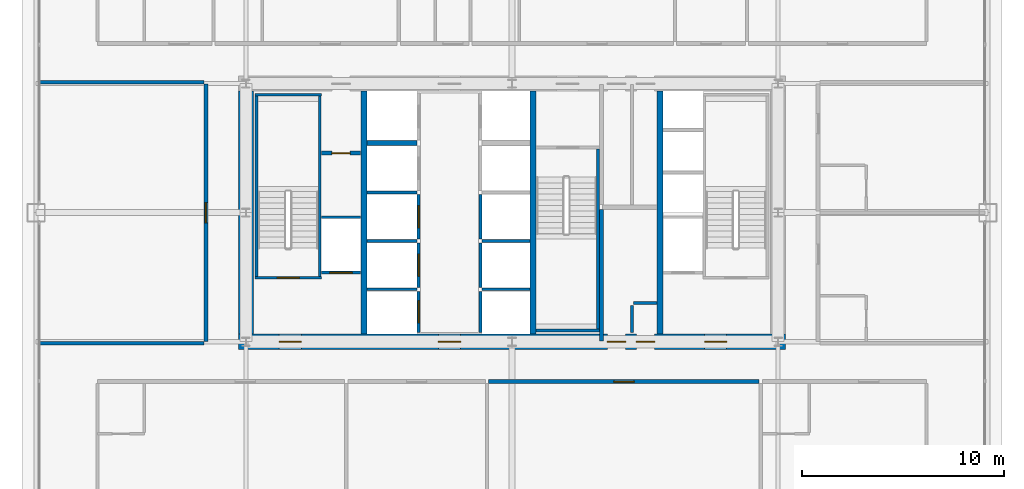
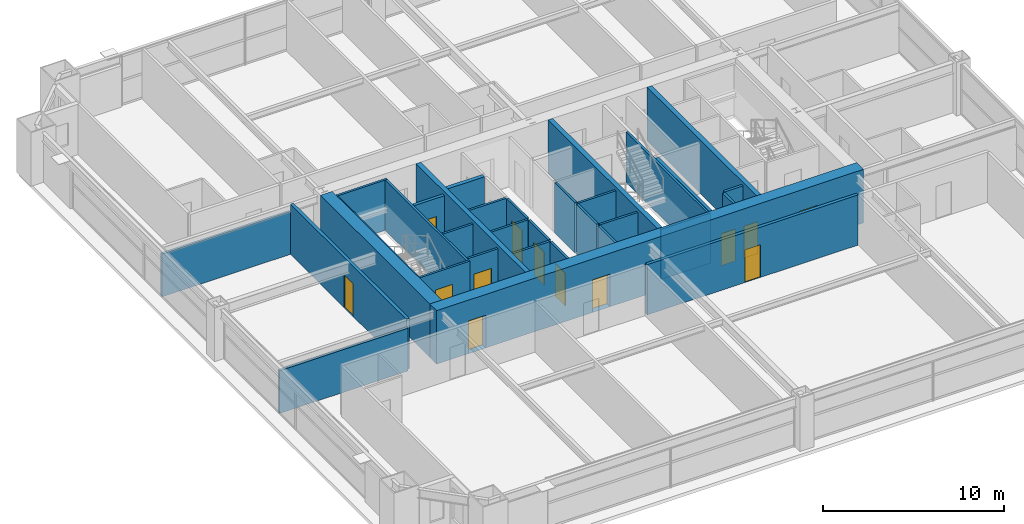
# One storey, part 34 of 38: 33 walls, 13 doors, 13 openings.
"""IFC4 building model written with IfcOpenShell, lengths in metres."""

from ifc_helpers import new_model, si_unit, direction, frame, frame_2d, origin, place, context, subcontext, project, spatial, rectangle, extrude, source, transform, mapped, material, layer, layer_set, type_object, element, fill, save


model = new_model("IFC4")

# Units and contexts
model_context = context("Model", 3, precision=1e-05, world=origin(), true_north=direction((0.0, 1.0)))
body_context = subcontext(model_context, "Body", "Model", "MODEL_VIEW")
ifc_project = project(units=[si_unit("LENGTHUNIT", "METRE"), si_unit("AREAUNIT", "SQUARE_METRE"), si_unit("VOLUMEUNIT", "CUBIC_METRE"), si_unit("PLANEANGLEUNIT", "RADIAN"), si_unit("MASSUNIT", "GRAM", prefix="KILO"), si_unit("THERMODYNAMICTEMPERATUREUNIT", "KELVIN"), si_unit("POWERUNIT", "WATT")], contexts=[model_context])

# Site, building, storey
site_placement = place(None, origin())
site = spatial("IfcSite", under=ifc_project, at=site_placement, CompositionType="ELEMENT")
building_placement = place(site_placement, origin())
building = spatial("IfcBuilding", under=site, at=building_placement, Name="Yuzanri Waterfront Tower", CompositionType="ELEMENT")
storey_placement = place(building_placement, frame((0.0, 0.0, 119.0)))
storey = spatial("IfcBuildingStorey", under=building, at=storey_placement, Name="L31", CompositionType="ELEMENT", Elevation=119.0)

# Wall, openings, doors
ifc_material_1 = material(Name="Concrete C55", Category="concrete")
ifc_layer_1 = layer(ifc_material_1, 0.75)
ifc_layer_set_1 = layer_set([ifc_layer_1], Name="Concrete C55")
wall_type_1 = type_object("IfcWallType", Name="Concrete C55 Low-Mid Zone Core Shear Wall 750", PredefinedType="SHEAR", material=ifc_layer_set_1)
wall_1_placement = place(storey_placement, frame((23.425048828125, 19.39990234375, 0.0), z_axis=(0.0, 0.0, 1.0), x_axis=(1.0, 0.0, 0.0)))
wall_1 = element("IfcWall", 1, at=wall_1_placement, inside=storey, type_object=wall_type_1, Name="L31 Core South Shear Wall", PredefinedType="SHEAR", context=body_context, shape_type="SweptSolid", body=[
    extrude(rectangle(XDim=27.14990234375, YDim=0.75, at=frame_2d((13.574951171875, 0.0))), origin(), (0.0, 0.0, 1.0), 3.60009765625),
])
opening_1_placement = place(wall_1_placement, frame((2.02490234375, 0.0, 0.0)))
opening_1 = element("IfcOpeningElement", 2, at=opening_1_placement, cuts=wall_1, Name="Opening FD-1100", PredefinedType="OPENING", context=body_context, shape_type="SweptSolid", body=[
    extrude(rectangle(XDim=1.10009765625, YDim=2.199951171875, at=frame_2d((0.550048828125, 1.10009765625))), frame((0.0, 0.389892578125, 0.0), z_axis=(0.0, -1.0, 0.0), x_axis=(1.0, 0.0, 0.0)), (0.0, 0.0, 1.0), 0.77978515625),
])
opening_2_placement = place(wall_1_placement, frame((9.925048828125, 0.0, 0.0)))
opening_2 = element("IfcOpeningElement", 3, at=opening_2_placement, cuts=wall_1, Name="Opening FD-1100", PredefinedType="OPENING", context=body_context, shape_type="SweptSolid", body=[
    extrude(rectangle(XDim=1.10009765625, YDim=2.199951171875, at=frame_2d((0.550048828125, 1.10009765625))), frame((0.0, 0.389892578125, 0.0), z_axis=(0.0, -1.0, 0.0), x_axis=(1.0, 0.0, 0.0)), (0.0, 0.0, 1.0), 0.77978515625),
])
opening_3_placement = place(wall_1_placement, frame((23.125, 0.0, 0.0)))
opening_3 = element("IfcOpeningElement", 4, at=opening_3_placement, cuts=wall_1, Name="Opening FD-1100", PredefinedType="OPENING", context=body_context, shape_type="SweptSolid", body=[
    extrude(rectangle(XDim=1.10009765625, YDim=2.199951171875, at=frame_2d((0.550048828125, 1.10009765625))), frame((0.0, 0.389892578125, 0.0), z_axis=(0.0, -1.0, 0.0), x_axis=(1.0, 0.0, 0.0)), (0.0, 0.0, 1.0), 0.77978515625),
])
opening_4_placement = place(wall_1_placement, frame((19.7451171875, 0.0, 0.0)))
opening_4 = element("IfcOpeningElement", 5, at=opening_4_placement, cuts=wall_1, Name="Opening FD-0900", PredefinedType="OPENING", context=body_context, shape_type="SweptSolid", body=[
    extrude(rectangle(XDim=0.89990234375, YDim=2.14990234375, at=frame_2d((0.449951171875, 1.074951171875))), frame((0.0, 0.389892578125, 0.0), z_axis=(0.0, -1.0, 0.0), x_axis=(1.0, 0.0, 0.0)), (0.0, 0.0, 1.0), 0.77978515625),
])
opening_5_placement = place(wall_1_placement, frame((18.304931640625, 0.0, 0.0)))
opening_5 = element("IfcOpeningElement", 6, at=opening_5_placement, cuts=wall_1, Name="Opening FD-0900", PredefinedType="OPENING", context=body_context, shape_type="SweptSolid", body=[
    extrude(rectangle(XDim=0.89990234375, YDim=2.14990234375, at=frame_2d((0.449951171875, 1.074951171875))), frame((0.0, 0.389892578125, 0.0), z_axis=(0.0, -1.0, 0.0), x_axis=(1.0, 0.0, 0.0)), (0.0, 0.0, 1.0), 0.77978515625),
])
ifc_material_2 = material(Name="Painted Galvanized Fire Steel", Category="steel")
door_type_1 = type_object("IfcDoorType", Name="Smoke-Proof Stair and Lobby Fire Door 1100x2200", OperationType="NOTDEFINED", PredefinedType="DOOR", material=ifc_material_2)
shared_shape_1 = source(origin(), body_context, "Body", "SweptSolid", [
    extrude(rectangle(XDim=1.10009765625, YDim=2.199951171875, at=frame_2d((0.550048828125, 1.10009765625))), frame((0.0, 0.02490234375, 0.0), z_axis=(0.0, -1.0, 0.0), x_axis=(1.0, 0.0, 0.0)), (0.0, 0.0, 1.0), 0.050048828125),
])
door_1_placement = place(opening_1_placement, origin())
door_1 = element("IfcDoor", 7, at=door_1_placement, inside=storey, type_object=door_type_1, Name="L31 West Firefighting Lobby Door", OperationType="SINGLE_SWING_LEFT", OverallHeight=2.199951171875, OverallWidth=1.10009765625, PredefinedType="DOOR", context=body_context, shape_type="MappedRepresentation", body=[
    mapped(shared_shape_1, transform((0.0, 0.0, 0.0), scale=1.0)),
])
fill(opening_1, door_1)
door_2_placement = place(opening_2_placement, origin())
door_2 = element("IfcDoor", 8, at=door_2_placement, inside=storey, type_object=door_type_1, Name="L31 Central Lift Lobby South Door", OperationType="SINGLE_SWING_RIGHT", OverallHeight=2.199951171875, OverallWidth=1.10009765625, PredefinedType="DOOR", context=body_context, shape_type="MappedRepresentation", body=[
    mapped(shared_shape_1, transform((0.0, 0.0, 0.0), scale=1.0)),
])
fill(opening_2, door_2)
door_3_placement = place(opening_3_placement, origin())
door_3 = element("IfcDoor", 9, at=door_3_placement, inside=storey, type_object=door_type_1, Name="L31 East Firefighting Lobby Door", OperationType="SINGLE_SWING_LEFT", OverallHeight=2.199951171875, OverallWidth=1.10009765625, PredefinedType="DOOR", context=body_context, shape_type="MappedRepresentation", body=[
    mapped(shared_shape_1, transform((0.0, 0.0, 0.0), scale=1.0)),
])
fill(opening_3, door_3)
ifc_material_3 = material(Name="Painted Galvanized Fire Steel", Category="steel")
door_type_2 = type_object("IfcDoorType", Name="Riser and Service Room Fire Door 900x2150", OperationType="NOTDEFINED", PredefinedType="DOOR", material=ifc_material_3)
shared_shape_2 = source(origin(), body_context, "Body", "SweptSolid", [
    extrude(rectangle(XDim=0.89990234375, YDim=2.14990234375, at=frame_2d((0.449951171875, 1.074951171875))), frame((0.0, 0.02490234375, 0.0), z_axis=(0.0, -1.0, 0.0), x_axis=(1.0, 0.0, 0.0)), (0.0, 0.0, 1.0), 0.050048828125),
])
door_4_placement = place(opening_4_placement, origin())
door_4 = element("IfcDoor", 10, at=door_4_placement, inside=storey, type_object=door_type_2, Name="L31 East Wet Riser Door", OperationType="SINGLE_SWING_RIGHT", OverallHeight=2.14990234375, OverallWidth=0.89990234375, PredefinedType="DOOR", context=body_context, shape_type="MappedRepresentation", body=[
    mapped(shared_shape_2, transform((0.0, 0.0, 0.0), scale=1.0)),
])
fill(opening_4, door_4)
door_5_placement = place(opening_5_placement, origin())
door_5 = element("IfcDoor", 11, at=door_5_placement, inside=storey, type_object=door_type_2, Name="L31 Housekeeping Room", OperationType="SINGLE_SWING_LEFT", OverallHeight=2.14990234375, OverallWidth=0.89990234375, PredefinedType="DOOR", context=body_context, shape_type="MappedRepresentation", body=[
    mapped(shared_shape_2, transform((0.0, 0.0, 0.0), scale=1.0)),
])
fill(opening_5, door_5)

# Wall, opening, door
ifc_material_4 = material(Name="Concrete C40", Category="concrete")
ifc_layer_2 = layer(ifc_material_4, 0.139892578125)
ifc_layer_set_2 = layer_set([ifc_layer_2], Name="Concrete C40")
wall_type_2 = type_object("IfcWallType", Name="Core Stair Liner and Hoistway Shaft Wall 140", PredefinedType="SOLIDWALL", material=ifc_layer_set_2)
wall_2_placement = place(storey_placement, frame((27.56005859375, 22.830078125, 0.0), z_axis=(0.0, 0.0, 1.0), x_axis=(1.0, 0.0, 0.0)))
wall_2 = element("IfcWall", 12, at=wall_2_placement, inside=storey, type_object=wall_type_2, Name="L31 Lift FL-01 Front Shaft Wall", PredefinedType="SOLIDWALL", context=body_context, shape_type="SweptSolid", body=[
    extrude(rectangle(XDim=1.919921875, YDim=0.139892578125, at=frame_2d((0.9599609375, 0.0))), origin(), (0.0, 0.0, 1.0), 3.3798828125),
])
opening_6_placement = place(wall_2_placement, frame((0.409912109375, 0.0, 0.0)))
opening_6 = element("IfcOpeningElement", 13, at=opening_6_placement, cuts=wall_2, Name="Opening LD-FL-01", PredefinedType="OPENING", context=body_context, shape_type="SweptSolid", body=[
    extrude(rectangle(XDim=1.10009765625, YDim=2.199951171875, at=frame_2d((0.550048828125, 1.10009765625))), frame((0.0, 0.0849609375, 0.0), z_axis=(0.0, -1.0, 0.0), x_axis=(1.0, 0.0, 0.0)), (0.0, 0.0, 1.0), 0.169677734375),
])
ifc_material_5 = material(Name="Brushed Bronze and Stainless Steel Cab", Category="steel")
door_type_3 = type_object("IfcDoorType", Name="Center-Parting Bronze Lift Landing Sliding Door 1100x2200", OperationType="NOTDEFINED", PredefinedType="DOOR", material=ifc_material_5)
shared_shape_3 = source(origin(), body_context, "Body", "SweptSolid", [
    extrude(rectangle(XDim=1.10009765625, YDim=2.199951171875, at=frame_2d((0.550048828125, 1.10009765625))), frame((0.0, 0.02490234375, 0.0), z_axis=(0.0, -1.0, 0.0), x_axis=(1.0, 0.0, 0.0)), (0.0, 0.0, 1.0), 0.050048828125),
])
door_6_placement = place(opening_6_placement, origin())
door_6 = element("IfcDoor", 14, at=door_6_placement, inside=storey, type_object=door_type_3, Name="L31 FL-01 Lift Landing Sliding Door", OperationType="SLIDING_TO_LEFT", OverallHeight=2.199951171875, OverallWidth=1.10009765625, PredefinedType="DOOR", context=body_context, shape_type="MappedRepresentation", body=[
    mapped(shared_shape_3, transform((0.0, 0.0, 0.0), scale=1.0)),
])
fill(opening_6, door_6)

wall_3_placement = place(storey_placement, frame((32.3701171875, 19.860107421875, 0.0), z_axis=(0.0, 0.0, 1.0), x_axis=(0.0, 1.0, 0.0)))
wall_3 = element("IfcWall", 15, at=wall_3_placement, inside=storey, type_object=wall_type_2, Name="L31 Lift PL-01 Front Shaft Wall", PredefinedType="SOLIDWALL", context=body_context, shape_type="SweptSolid", body=[
    extrude(rectangle(XDim=2.039794921875, YDim=0.139892578125, at=frame_2d((1.02001953125, 0.0))), origin(), (0.0, 0.0, 1.0), 3.3798828125),
])
opening_7_placement = place(wall_3_placement, frame((0.469970703125, 0.0, 0.0)))
opening_7 = element("IfcOpeningElement", 16, at=opening_7_placement, cuts=wall_3, Name="Opening LD-PL-01", PredefinedType="OPENING", context=body_context, shape_type="SweptSolid", body=[
    extrude(rectangle(XDim=1.10009765625, YDim=2.199951171875, at=frame_2d((0.550048828125, 1.10009765625))), frame((0.0, 0.0849609375, 0.0), z_axis=(0.0, -1.0, 0.0), x_axis=(1.0, 0.0, 0.0)), (0.0, 0.0, 1.0), 0.169677734375),
])
door_7_placement = place(opening_7_placement, origin())
door_7 = element("IfcDoor", 17, at=door_7_placement, inside=storey, type_object=door_type_3, Name="L31 PL-01 Lift Landing Sliding Door", OperationType="SLIDING_TO_LEFT", OverallHeight=2.199951171875, OverallWidth=1.10009765625, PredefinedType="DOOR", context=body_context, shape_type="MappedRepresentation", body=[
    mapped(shared_shape_3, transform((0.0, 0.0, 0.0), scale=1.0)),
])
fill(opening_7, door_7)

wall_4_placement = place(storey_placement, frame((32.3701171875, 22.10009765625, 0.0), z_axis=(0.0, 0.0, 1.0), x_axis=(0.0, 1.0, 0.0)))
wall_4 = element("IfcWall", 18, at=wall_4_placement, inside=storey, type_object=wall_type_2, Name="L31 Lift PL-02 Front Shaft Wall", PredefinedType="SOLIDWALL", context=body_context, shape_type="SweptSolid", body=[
    extrude(rectangle(XDim=2.199951171875, YDim=0.139892578125, at=frame_2d((1.10009765625, 0.0))), origin(), (0.0, 0.0, 1.0), 3.3798828125),
])
opening_8_placement = place(wall_4_placement, frame((0.550048828125, 0.0, 0.0)))
opening_8 = element("IfcOpeningElement", 19, at=opening_8_placement, cuts=wall_4, Name="Opening LD-PL-02", PredefinedType="OPENING", context=body_context, shape_type="SweptSolid", body=[
    extrude(rectangle(XDim=1.10009765625, YDim=2.199951171875, at=frame_2d((0.550048828125, 1.10009765625))), frame((0.0, 0.0849609375, 0.0), z_axis=(0.0, -1.0, 0.0), x_axis=(1.0, 0.0, 0.0)), (0.0, 0.0, 1.0), 0.169677734375),
])
door_8_placement = place(opening_8_placement, origin())
door_8 = element("IfcDoor", 20, at=door_8_placement, inside=storey, type_object=door_type_3, Name="L31 PL-02 Lift Landing Sliding Door", OperationType="SLIDING_TO_RIGHT", OverallHeight=2.199951171875, OverallWidth=1.10009765625, PredefinedType="DOOR", context=body_context, shape_type="MappedRepresentation", body=[
    mapped(shared_shape_3, transform((0.0, 0.0, 0.0), scale=1.0)),
])
fill(opening_8, door_8)

wall_5_placement = place(storey_placement, frame((32.3701171875, 24.5, 0.0), z_axis=(0.0, 0.0, 1.0), x_axis=(0.0, 1.0, 0.0)))
wall_5 = element("IfcWall", 21, at=wall_5_placement, inside=storey, type_object=wall_type_2, Name="L31 Lift PL-03 Front Shaft Wall", PredefinedType="SOLIDWALL", context=body_context, shape_type="SweptSolid", body=[
    extrude(rectangle(XDim=2.199951171875, YDim=0.139892578125, at=frame_2d((1.10009765625, 0.0))), origin(), (0.0, 0.0, 1.0), 3.3798828125),
])
opening_9_placement = place(wall_5_placement, frame((0.550048828125, 0.0, 0.0)))
opening_9 = element("IfcOpeningElement", 22, at=opening_9_placement, cuts=wall_5, Name="Opening LD-PL-03", PredefinedType="OPENING", context=body_context, shape_type="SweptSolid", body=[
    extrude(rectangle(XDim=1.10009765625, YDim=2.199951171875, at=frame_2d((0.550048828125, 1.10009765625))), frame((0.0, 0.0849609375, 0.0), z_axis=(0.0, -1.0, 0.0), x_axis=(1.0, 0.0, 0.0)), (0.0, 0.0, 1.0), 0.169677734375),
])
door_9_placement = place(opening_9_placement, origin())
door_9 = element("IfcDoor", 23, at=door_9_placement, inside=storey, type_object=door_type_3, Name="L31 PL-03 Lift Landing Sliding Door", OperationType="SLIDING_TO_LEFT", OverallHeight=2.199951171875, OverallWidth=1.10009765625, PredefinedType="DOOR", context=body_context, shape_type="MappedRepresentation", body=[
    mapped(shared_shape_3, transform((0.0, 0.0, 0.0), scale=1.0)),
])
fill(opening_9, door_9)

wall_6_placement = place(storey_placement, frame((24.260009765625, 22.570068359375, 0.0), z_axis=(0.0, 0.0, 1.0), x_axis=(1.0, 0.0, 0.0)))
wall_6 = element("IfcWall", 24, at=wall_6_placement, inside=storey, type_object=wall_type_2, Name="L31 Shaft Wall STW-L31-ST-01-S", PredefinedType="SOLIDWALL", context=body_context, shape_type="SweptSolid", body=[
    extrude(rectangle(XDim=3.280029296875, YDim=0.139892578125, at=frame_2d((1.64013671875, 0.0))), origin(), (0.0, 0.0, 1.0), 3.3798828125),
])
opening_10_placement = place(wall_6_placement, frame((1.090087890625, 0.0, 0.0)))
opening_10 = element("IfcOpeningElement", 25, at=opening_10_placement, cuts=wall_6, Name="Opening FD-1100", PredefinedType="OPENING", context=body_context, shape_type="SweptSolid", body=[
    extrude(rectangle(XDim=1.10009765625, YDim=2.199951171875, at=frame_2d((0.550048828125, 1.10009765625))), frame((0.0, 0.0849609375, 0.0), z_axis=(0.0, -1.0, 0.0), x_axis=(1.0, 0.0, 0.0)), (0.0, 0.0, 1.0), 0.169677734375),
])
door_10_placement = place(opening_10_placement, origin())
door_10 = element("IfcDoor", 26, at=door_10_placement, inside=storey, type_object=door_type_1, Name="L31 Stair ST-01 Fire Door", OperationType="SINGLE_SWING_RIGHT", OverallHeight=2.199951171875, OverallWidth=1.10009765625, PredefinedType="DOOR", context=body_context, shape_type="MappedRepresentation", body=[
    mapped(shared_shape_1, transform((0.0, 0.0, 0.0), scale=1.0)),
])
fill(opening_10, door_10)

ifc_material_6 = material(Name="Autoclaved Aerated Concrete Blockwork", Category="masonry")
ifc_layer_3 = layer(ifc_material_6, 0.199951171875)
ifc_layer_set_3 = layer_set([ifc_layer_3], Name="Autoclaved Aerated Concrete Blockwork")
wall_type_3 = type_object("IfcWallType", Name="Corridor and Unit Party Fire Wall 200", PredefinedType="PARTITIONING", material=ifc_layer_set_3)
wall_7_placement = place(storey_placement, frame((27.56005859375, 28.75, 0.0), z_axis=(0.0, 0.0, 1.0), x_axis=(1.0, 0.0, 0.0)))
wall_7 = element("IfcWall", 27, at=wall_7_placement, inside=storey, type_object=wall_type_3, Name="L31 Partition CRW-L31-ERTR", PredefinedType="PARTITIONING", context=body_context, shape_type="SweptSolid", body=[
    extrude(rectangle(XDim=1.919921875, YDim=0.199951171875, at=frame_2d((0.9599609375, 0.0))), origin(), (0.0, 0.0, 1.0), 3.3798828125),
])
opening_11_placement = place(wall_7_placement, frame((0.510009765625, 0.0, 0.0)))
opening_11 = element("IfcOpeningElement", 28, at=opening_11_placement, cuts=wall_7, Name="Opening FD-0900", PredefinedType="OPENING", context=body_context, shape_type="SweptSolid", body=[
    extrude(rectangle(XDim=0.89990234375, YDim=2.14990234375, at=frame_2d((0.449951171875, 1.074951171875))), frame((0.0, 0.11474609375, 0.0), z_axis=(0.0, -1.0, 0.0), x_axis=(1.0, 0.0, 0.0)), (0.0, 0.0, 1.0), 0.229736328125),
])
door_11_placement = place(opening_11_placement, origin())
door_11 = element("IfcDoor", 29, at=door_11_placement, inside=storey, type_object=door_type_2, Name="L31 Electrical Riser Door", OperationType="SINGLE_SWING_LEFT", OverallHeight=2.14990234375, OverallWidth=0.89990234375, PredefinedType="DOOR", context=body_context, shape_type="MappedRepresentation", body=[
    mapped(shared_shape_2, transform((0.0, 0.0, 0.0), scale=1.0)),
])
fill(opening_11, door_11)

wall_8_placement = place(storey_placement, frame((35.845947265625, 17.419921875, 0.0), z_axis=(0.0, 0.0, 1.0), x_axis=(1.0, 0.0, 0.0)))
wall_8 = element("IfcWall", 30, at=wall_8_placement, inside=storey, type_object=wall_type_3, Name="L31 Partition UW-L31-S3-CN", PredefinedType="PARTITIONING", context=body_context, shape_type="SweptSolid", body=[
    extrude(rectangle(XDim=13.41015625, YDim=0.199951171875, at=frame_2d((6.705078125, 0.0))), origin(), (0.0, 0.0, 1.0), 3.3798828125),
])
opening_12_placement = place(wall_8_placement, frame((6.205078125, 0.0, 0.0)))
opening_12 = element("IfcOpeningElement", 31, at=opening_12_placement, cuts=wall_8, Name="Opening FD-1000", PredefinedType="OPENING", context=body_context, shape_type="SweptSolid", body=[
    extrude(rectangle(XDim=1.0, YDim=2.199951171875, at=frame_2d((0.5, 1.10009765625))), frame((0.0, 0.11474609375, 0.0), z_axis=(0.0, -1.0, 0.0), x_axis=(1.0, 0.0, 0.0)), (0.0, 0.0, 1.0), 0.229736328125),
])
ifc_material_7 = material(Name="Engineered Oak Fire-Rated Timber", Category="wood")
door_type_4 = type_object("IfcDoorType", Name="Guestroom and Apartment Entrance Fire Door 1000x2200", OperationType="NOTDEFINED", PredefinedType="DOOR", material=ifc_material_7)
shared_shape_4 = source(origin(), body_context, "Body", "SweptSolid", [
    extrude(rectangle(XDim=1.0, YDim=2.199951171875, at=frame_2d((0.5, 1.10009765625))), frame((0.0, 0.02490234375, 0.0), z_axis=(0.0, -1.0, 0.0), x_axis=(1.0, 0.0, 0.0)), (0.0, 0.0, 1.0), 0.050048828125),
])
door_12_placement = place(opening_12_placement, origin())
door_12 = element("IfcDoor", 32, at=door_12_placement, inside=storey, type_object=door_type_4, Name="L31 Boardroom B Entrance Door", OperationType="SINGLE_SWING_LEFT", OverallHeight=2.199951171875, OverallWidth=1.0, PredefinedType="DOOR", context=body_context, shape_type="MappedRepresentation", body=[
    mapped(shared_shape_4, transform((0.0, 0.0, 0.0), scale=1.0)),
])
fill(opening_12, door_12)

wall_9_placement = place(storey_placement, frame((21.820068359375, 19.409912109375, 0.0), z_axis=(0.0, 0.0, 1.0), x_axis=(0.0, 1.0, 0.0)))
wall_9 = element("IfcWall", 33, at=wall_9_placement, inside=storey, type_object=wall_type_3, Name="L31 Partition UW-L31-W1-CW", PredefinedType="PARTITIONING", context=body_context, shape_type="SweptSolid", body=[
    extrude(rectangle(XDim=12.780029296875, YDim=0.199951171875, at=frame_2d((6.39013671875, 0.0))), origin(), (0.0, 0.0, 1.0), 3.3798828125),
])
opening_13_placement = place(wall_9_placement, frame((5.889892578125, 0.0, 0.0)))
opening_13 = element("IfcOpeningElement", 34, at=opening_13_placement, cuts=wall_9, Name="Opening FD-1000", PredefinedType="OPENING", context=body_context, shape_type="SweptSolid", body=[
    extrude(rectangle(XDim=1.0, YDim=2.199951171875, at=frame_2d((0.5, 1.10009765625))), frame((0.0, 0.11474609375, 0.0), z_axis=(0.0, -1.0, 0.0), x_axis=(1.0, 0.0, 0.0)), (0.0, 0.0, 1.0), 0.229736328125),
])
door_13_placement = place(opening_13_placement, origin())
door_13 = element("IfcDoor", 35, at=door_13_placement, inside=storey, type_object=door_type_4, Name="L31 West Conference Hall Entrance Door", OperationType="SINGLE_SWING_RIGHT", OverallHeight=2.199951171875, OverallWidth=1.0, PredefinedType="DOOR", context=body_context, shape_type="MappedRepresentation", body=[
    mapped(shared_shape_4, transform((0.0, 0.0, 0.0), scale=1.0)),
])
fill(opening_13, door_13)

# Walls
shared_shape_5 = source(origin(), body_context, "Body", "SweptSolid", [
    extrude(rectangle(XDim=12.050048828125, YDim=0.75, at=frame_2d((6.02490234375, 0.0))), origin(), (0.0, 0.0, 1.0), 3.60009765625),
])
wall_10_placement = place(storey_placement, frame((23.800048828125, 19.77490234375, 0.0), z_axis=(0.0, 0.0, 1.0), x_axis=(0.0, 1.0, 0.0)))
element("IfcWall", 36, at=wall_10_placement, inside=storey, type_object=wall_type_1, Name="L31 Core West Shear Wall", PredefinedType="SHEAR", context=body_context, shape_type="MappedRepresentation", body=[
    mapped(shared_shape_5, transform((0.0, 0.0, 0.0), scale=1.0)),
])
ifc_material_8 = material(Name="Concrete C50", Category="concrete")
ifc_layer_4 = layer(ifc_material_8, 0.300048828125)
ifc_layer_set_4 = layer_set([ifc_layer_4], Name="Concrete C50")
wall_type_4 = type_object("IfcWallType", Name="Concrete C50 Internal Core Shaft Structural Wall 300", PredefinedType="SOLIDWALL", material=ifc_layer_set_4)
shared_shape_6 = source(origin(), body_context, "Body", "SweptSolid", [
    extrude(rectangle(XDim=12.050048828125, YDim=0.300048828125, at=frame_2d((6.02490234375, 0.0))), origin(), (0.0, 0.0, 1.0), 3.60009765625),
])
for number, where, z_axis, x_axis, name in (
    (37, (29.64990234375, 19.77490234375, 0.0), (0.0, 0.0, 1.0), (0.0, 1.0, 0.0), "L31 Core Internal Structural Web Wall 1"),
    (38, (38.050048828125, 19.77490234375, 0.0), (0.0, 0.0, 1.0), (0.0, 1.0, 0.0), "L31 Core Internal Structural Web Wall 2"),
    (39, (44.35009765625, 19.77490234375, 0.0), (0.0, 0.0, 1.0), (0.0, 1.0, 0.0), "L31 Core Internal Structural Web Wall 3"),
):
    element("IfcWall", number, at=place(storey_placement, frame(where, z_axis=z_axis, x_axis=x_axis)), inside=storey, type_object=wall_type_4, Name=name, PredefinedType="SOLIDWALL", context=body_context, shape_type="MappedRepresentation", body=[
        mapped(shared_shape_6, transform((0.0, 0.0, 0.0), scale=1.0)),
    ])
shared_shape_7 = source(origin(), body_context, "Body", "SweptSolid", [
    extrude(rectangle(XDim=1.919921875, YDim=0.139892578125, at=frame_2d((0.9599609375, 0.0))), origin(), (0.0, 0.0, 1.0), 3.3798828125),
])
wall_11_placement = place(storey_placement, frame((27.56005859375, 25.570068359375, 0.0), z_axis=(0.0, 0.0, 1.0), x_axis=(1.0, 0.0, 0.0)))
element("IfcWall", 40, at=wall_11_placement, inside=storey, type_object=wall_type_2, Name="L31 Lift FL-01 Back Shaft Wall", PredefinedType="SOLIDWALL", context=body_context, shape_type="MappedRepresentation", body=[
    mapped(shared_shape_7, transform((0.0, 0.0, 0.0), scale=1.0)),
])
shared_shape_8 = source(origin(), body_context, "Body", "SweptSolid", [
    extrude(rectangle(XDim=2.5, YDim=0.139892578125, at=frame_2d((1.25, 0.0))), origin(), (0.0, 0.0, 1.0), 3.3798828125),
])
for number, where, z_axis, x_axis, name in (
    (41, (29.800048828125, 22.0, 0.0), (0.0, 0.0, 1.0), (1.0, 0.0, 0.0), "L31 Lift PL-01 Divider Wall"),
    (42, (29.800048828125, 24.39990234375, 0.0), (0.0, 0.0, 1.0), (1.0, 0.0, 0.0), "L31 Lift PL-02 Divider Wall"),
    (43, (29.800048828125, 26.800048828125, 0.0), (0.0, 0.0, 1.0), (1.0, 0.0, 0.0), "L31 Lift PL-03 Divider Wall"),
):
    element("IfcWall", number, at=place(storey_placement, frame(where, z_axis=z_axis, x_axis=x_axis)), inside=storey, type_object=wall_type_2, Name=name, PredefinedType="SOLIDWALL", context=body_context, shape_type="MappedRepresentation", body=[
        mapped(shared_shape_8, transform((0.0, 0.0, 0.0), scale=1.0)),
    ])
ifc_material_9 = material(Name="Concrete C40", Category="concrete")
ifc_layer_5 = layer(ifc_material_9, 0.25)
ifc_layer_set_5 = layer_set([ifc_layer_5], Name="Concrete C40")
wall_type_5 = type_object("IfcWallType", Name="Smoke-Proof Stair and Lift Shaft Wall 250", PredefinedType="SOLIDWALL", material=ifc_layer_set_5)
shared_shape_9 = source(origin(), body_context, "Body", "SweptSolid", [
    extrude(rectangle(XDim=2.5, YDim=0.25, at=frame_2d((1.25, 0.0))), origin(), (0.0, 0.0, 1.0), 3.3798828125),
])
wall_12_placement = place(storey_placement, frame((29.800048828125, 29.25, 0.0), z_axis=(0.0, 0.0, 1.0), x_axis=(1.0, 0.0, 0.0)))
element("IfcWall", 44, at=wall_12_placement, inside=storey, type_object=wall_type_5, Name="L31 Lift SL-01 South Shaft Wall", PredefinedType="SOLIDWALL", context=body_context, shape_type="MappedRepresentation", body=[
    mapped(shared_shape_9, transform((0.0, 0.0, 0.0), scale=1.0)),
])
shared_shape_10 = source(origin(), body_context, "Body", "SweptSolid", [
    extrude(rectangle(XDim=2.039794921875, YDim=0.139892578125, at=frame_2d((1.02001953125, 0.0))), origin(), (0.0, 0.0, 1.0), 3.3798828125),
])
wall_13_placement = place(storey_placement, frame((35.429931640625, 19.860107421875, 0.0), z_axis=(0.0, 0.0, 1.0), x_axis=(0.0, 1.0, 0.0)))
element("IfcWall", 45, at=wall_13_placement, inside=storey, type_object=wall_type_2, Name="L31 Lift PL-05 Front Shaft Wall", PredefinedType="SOLIDWALL", context=body_context, shape_type="MappedRepresentation", body=[
    mapped(shared_shape_10, transform((0.0, 0.0, 0.0), scale=1.0)),
])
shared_shape_11 = source(origin(), body_context, "Body", "SweptSolid", [
    extrude(rectangle(XDim=2.39990234375, YDim=0.139892578125, at=frame_2d((1.199951171875, 0.0))), origin(), (0.0, 0.0, 1.0), 3.3798828125),
])
for number, where, z_axis, x_axis, name in (
    (46, (35.5, 22.0, 0.0), (0.0, 0.0, 1.0), (1.0, 0.0, 0.0), "L31 Lift PL-05 Divider Wall"),
    (47, (35.5, 24.39990234375, 0.0), (0.0, 0.0, 1.0), (1.0, 0.0, 0.0), "L31 Lift PL-06 Divider Wall"),
):
    element("IfcWall", number, at=place(storey_placement, frame(where, z_axis=z_axis, x_axis=x_axis)), inside=storey, type_object=wall_type_2, Name=name, PredefinedType="SOLIDWALL", context=body_context, shape_type="MappedRepresentation", body=[
        mapped(shared_shape_11, transform((0.0, 0.0, 0.0), scale=1.0)),
    ])
shared_shape_12 = source(origin(), body_context, "Body", "SweptSolid", [
    extrude(rectangle(XDim=2.199951171875, YDim=0.139892578125, at=frame_2d((1.10009765625, 0.0))), origin(), (0.0, 0.0, 1.0), 3.3798828125),
])
for number, where, z_axis, x_axis, name in (
    (48, (35.429931640625, 22.10009765625, 0.0), (0.0, 0.0, 1.0), (0.0, 1.0, 0.0), "L31 Lift PL-06 Front Shaft Wall"),
    (49, (35.429931640625, 24.5, 0.0), (0.0, 0.0, 1.0), (0.0, 1.0, 0.0), "L31 Lift PL-07 Front Shaft Wall"),
):
    element("IfcWall", number, at=place(storey_placement, frame(where, z_axis=z_axis, x_axis=x_axis)), inside=storey, type_object=wall_type_2, Name=name, PredefinedType="SOLIDWALL", context=body_context, shape_type="MappedRepresentation", body=[
        mapped(shared_shape_12, transform((0.0, 0.0, 0.0), scale=1.0)),
    ])
shared_shape_13 = source(origin(), body_context, "Body", "SweptSolid", [
    extrude(rectangle(XDim=3.280029296875, YDim=0.139892578125, at=frame_2d((1.64013671875, 0.0))), origin(), (0.0, 0.0, 1.0), 3.3798828125),
])
wall_14_placement = place(storey_placement, frame((24.260009765625, 31.64990234375, 0.0), z_axis=(0.0, 0.0, 1.0), x_axis=(1.0, 0.0, 0.0)))
element("IfcWall", 50, at=wall_14_placement, inside=storey, type_object=wall_type_2, Name="L31 Stair ST-01 North Shaft Wall", PredefinedType="SOLIDWALL", context=body_context, shape_type="MappedRepresentation", body=[
    mapped(shared_shape_13, transform((0.0, 0.0, 0.0), scale=1.0)),
])
shared_shape_14 = source(origin(), body_context, "Body", "SweptSolid", [
    extrude(rectangle(XDim=8.940185546875, YDim=0.139892578125, at=frame_2d((4.47021484375, 0.0))), origin(), (0.0, 0.0, 1.0), 3.3798828125),
])
for number, where, z_axis, x_axis, name in (
    (51, (24.330078125, 22.639892578125, 0.0), (0.0, 0.0, 1.0), (0.0, 1.0, 0.0), "L31 Stair ST-01 West Shaft Wall"),
    (52, (27.469970703125, 22.639892578125, 0.0), (0.0, 0.0, 1.0), (0.0, 1.0, 0.0), "L31 Stair ST-01 East Shaft Wall"),
):
    element("IfcWall", number, at=place(storey_placement, frame(where, z_axis=z_axis, x_axis=x_axis)), inside=storey, type_object=wall_type_2, Name=name, PredefinedType="SOLIDWALL", context=body_context, shape_type="MappedRepresentation", body=[
        mapped(shared_shape_14, transform((0.0, 0.0, 0.0), scale=1.0)),
    ])
shared_shape_15 = source(origin(), body_context, "Body", "SweptSolid", [
    extrude(rectangle(XDim=3.14013671875, YDim=0.139892578125, at=frame_2d((1.570068359375, 0.0))), origin(), (0.0, 0.0, 1.0), 3.3798828125),
])
wall_15_placement = place(storey_placement, frame((38.199951171875, 19.949951171875, 0.0), z_axis=(0.0, 0.0, 1.0), x_axis=(1.0, 0.0, 0.0)))
element("IfcWall", 53, at=wall_15_placement, inside=storey, type_object=wall_type_2, Name="L31 Stair ST-03 South Shaft Wall", PredefinedType="SOLIDWALL", context=body_context, shape_type="MappedRepresentation", body=[
    mapped(shared_shape_15, transform((0.0, 0.0, 0.0), scale=1.0)),
])
shared_shape_16 = source(origin(), body_context, "Body", "SweptSolid", [
    extrude(rectangle(XDim=8.93994140625, YDim=0.139892578125, at=frame_2d((4.469970703125, 0.0))), origin(), (0.0, 0.0, 1.0), 3.3798828125),
])
wall_16_placement = place(storey_placement, frame((41.27001953125, 20.02001953125, 0.0), z_axis=(0.0, 0.0, 1.0), x_axis=(0.0, 1.0, 0.0)))
element("IfcWall", 54, at=wall_16_placement, inside=storey, type_object=wall_type_2, Name="L31 Stair ST-03 East Shaft Wall", PredefinedType="SOLIDWALL", context=body_context, shape_type="MappedRepresentation", body=[
    mapped(shared_shape_16, transform((0.0, 0.0, 0.0), scale=1.0)),
])
ifc_material_10 = material(Name="Gypsum Fireboard Acoustic Stud Wall", Category="gypsum")
ifc_layer_6 = layer(ifc_material_10, 0.159912109375)
ifc_layer_set_6 = layer_set([ifc_layer_6], Name="Gypsum Fireboard Acoustic Stud Wall")
wall_type_6 = type_object("IfcWallType", Name="Acoustic Suite Demising Partition 160", PredefinedType="PARTITIONING", material=ifc_layer_set_6)
shared_shape_17 = source(origin(), body_context, "Body", "SweptSolid", [
    extrude(rectangle(XDim=1.33984375, YDim=0.159912109375, at=frame_2d((0.669921875, 0.0))), origin(), (0.0, 0.0, 1.0), 3.3798828125),
])
wall_17_placement = place(storey_placement, frame((42.949951171875, 19.860107421875, 0.0), z_axis=(0.0, 0.0, 1.0), x_axis=(0.0, 1.0, 0.0)))
element("IfcWall", 55, at=wall_17_placement, inside=storey, type_object=wall_type_6, Name="L31 East Wet Riser West Wall", PredefinedType="PARTITIONING", context=body_context, shape_type="MappedRepresentation", body=[
    mapped(shared_shape_17, transform((0.0, 0.0, 0.0), scale=1.0)),
])
shared_shape_18 = source(origin(), body_context, "Body", "SweptSolid", [
    extrude(rectangle(XDim=1.169921875, YDim=0.159912109375, at=frame_2d((0.5849609375, 0.0))), origin(), (0.0, 0.0, 1.0), 3.3798828125),
])
wall_18_placement = place(storey_placement, frame((43.030029296875, 21.320068359375, 0.0), z_axis=(0.0, 0.0, 1.0), x_axis=(1.0, 0.0, 0.0)))
element("IfcWall", 56, at=wall_18_placement, inside=storey, type_object=wall_type_6, Name="L31 East Wet Riser North Wall", PredefinedType="PARTITIONING", context=body_context, shape_type="MappedRepresentation", body=[
    mapped(shared_shape_18, transform((0.0, 0.0, 0.0), scale=1.0)),
])
shared_shape_19 = source(origin(), body_context, "Body", "SweptSolid", [
    extrude(rectangle(XDim=6.510009765625, YDim=0.199951171875, at=frame_2d((3.2548828125, 0.0))), origin(), (0.0, 0.0, 1.0), 3.3798828125),
])
wall_19_placement = place(storey_placement, frame((41.449951171875, 19.43994140625, 0.0), z_axis=(0.0, 0.0, 1.0), x_axis=(0.0, 1.0, 0.0)))
element("IfcWall", 57, at=wall_19_placement, inside=storey, type_object=wall_type_3, Name="L31 Core BOH West Wall 1", PredefinedType="PARTITIONING", context=body_context, shape_type="MappedRepresentation", body=[
    mapped(shared_shape_19, transform((0.0, 0.0, 0.0), scale=1.0)),
])
shared_shape_20 = source(origin(), body_context, "Body", "SweptSolid", [
    extrude(rectangle(XDim=8.169921875, YDim=0.159912109375, at=frame_2d((4.0849609375, 0.0))), origin(), (0.0, 0.0, 1.0), 2.875),
])
for number, where, z_axis, x_axis, name in (
    (58, (13.550048828125, 19.330078125, 0.0), (0.0, 0.0, 1.0), (1.0, 0.0, 0.0), "L31-W1 Wing South End Wall"),
    (59, (13.550048828125, 32.27001953125, 0.0), (0.0, 0.0, 1.0), (1.0, 0.0, 0.0), "L31-W1 Wing North End Wall"),
):
    element("IfcWall", number, at=place(storey_placement, frame(where, z_axis=z_axis, x_axis=x_axis)), inside=storey, type_object=wall_type_6, Name=name, PredefinedType="PARTITIONING", context=body_context, shape_type="MappedRepresentation", body=[
        mapped(shared_shape_20, transform((0.0, 0.0, 0.0), scale=1.0)),
    ])

save(model, "model.ifc")
